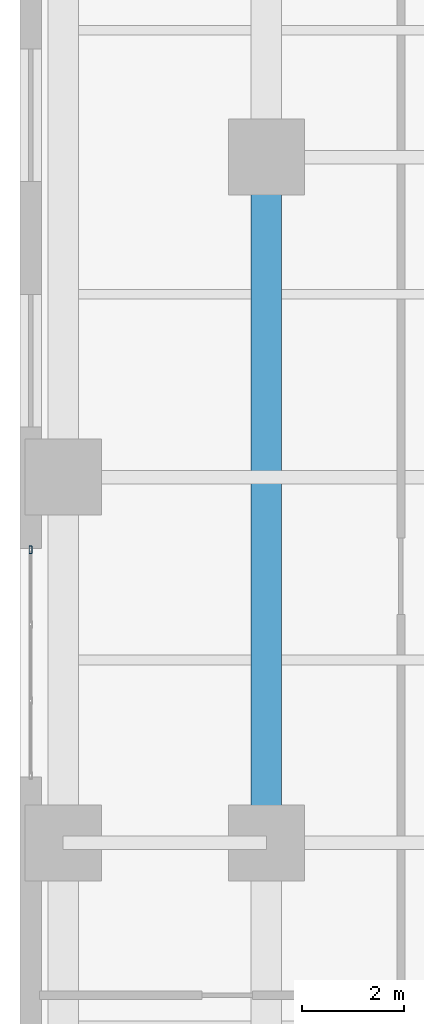
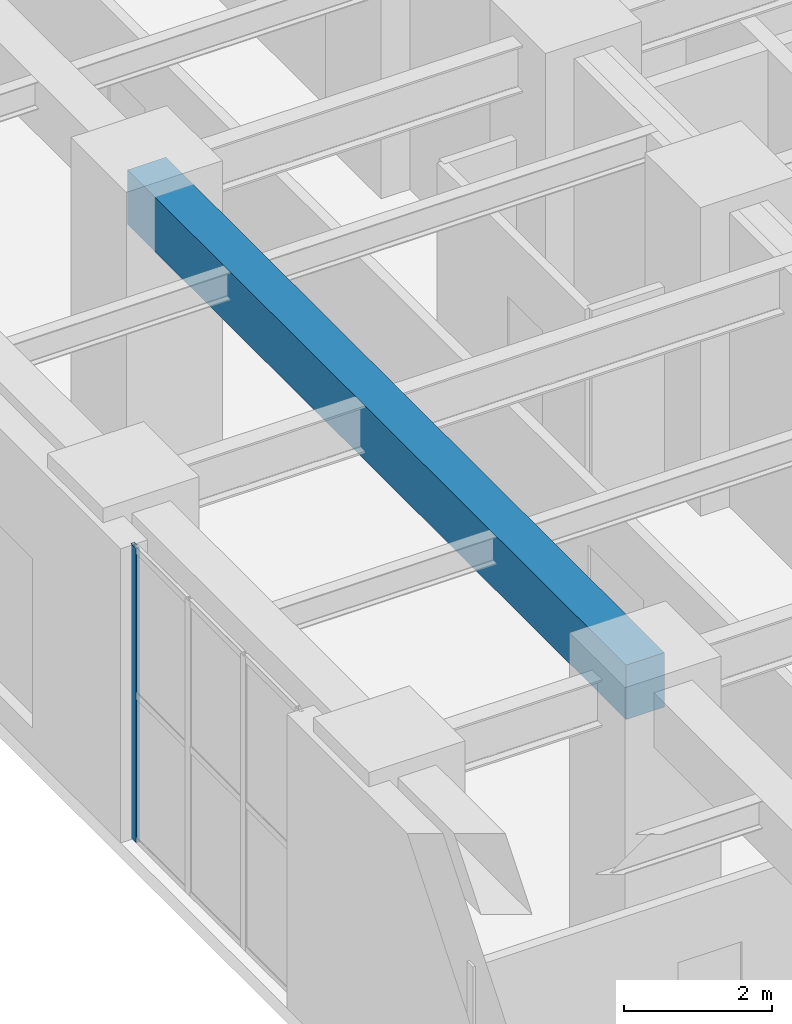
# One storey, part 8 of 23: 1 beam, 1 member, 1 element without a shape of its own.
"""IFC4 building model written with IfcOpenShell, lengths in metres."""

from ifc_helpers import new_model, entity, si_unit, converted_unit, direction, frame, origin_with_axes, origin_2d_with_axis, place, context, subcontext, project, spatial, rectangle, hollow_rectangle, extrude, material, material_profile, profile_set, type_object, element, aggregate, save


model = new_model("IFC4")

# Units and contexts
model_context = context("Model", 3, precision=1e-05, world=origin_with_axes(), true_north=direction((0.0, 1.0)))
body_context = subcontext(model_context, "Body", "Model", "MODEL_VIEW")
ifc_project = project(units=[si_unit("LENGTHUNIT", "METRE"), si_unit("AREAUNIT", "SQUARE_METRE"), si_unit("VOLUMEUNIT", "CUBIC_METRE"), converted_unit("PLANEANGLEUNIT", "DEGREE", entity("IfcPlaneAngleMeasure", 0.017453292519943295), si_unit("PLANEANGLEUNIT", "RADIAN"), dimensions=[0, 0, 0, 0, 0, 0, 0]), si_unit("MASSUNIT", "GRAM", prefix="KILO"), si_unit("THERMODYNAMICTEMPERATUREUNIT", "KELVIN")], contexts=[model_context])

# Site, building, storey
site_placement = place(None, origin_with_axes())
site = spatial("IfcSite", under=ifc_project, at=site_placement, CompositionType="ELEMENT")
building_placement = place(site_placement, origin_with_axes())
building = spatial("IfcBuilding", under=site, at=building_placement, Name="Varnlund Millrace Tower", CompositionType="ELEMENT")
storey_placement = place(building_placement, frame((0.0, 0.0, 5.7), z_axis=(0.0, 0.0, 1.0), x_axis=(1.0, 0.0, 0.0)))
storey = spatial("IfcBuildingStorey", under=building, at=storey_placement, Name="L01", CompositionType="ELEMENT", Elevation=5.7)

# Curtain wall, member
ifc_material_1 = material(Name="Thermally broken architectural bronze curtain wall", Category="aluminium")
curtain_wall_type = type_object("IfcCurtainWallType", Name="Type-CW-Sys2-Skyway", PredefinedType="NOTDEFINED", material=ifc_material_1)
curtain_wall_placement = place(storey_placement, frame((0.21, 12.1, 0.0), z_axis=(0.0, 0.0, 1.0), x_axis=(1.0, 0.0, 0.0)))
curtain_wall = element("IfcCurtainWall", 1, at=curtain_wall_placement, inside=storey, type_object=curtain_wall_type, Name="Type-CW-Sys2-Skyway", PredefinedType="NOTDEFINED")
ifc_material_2 = material(Name="Architectural bronze aluminium alloy 6063-T6", Category="aluminium")
ifc_material_profile_1 = material_profile(ifc_material_2, hollow_rectangle(XDim=0.06, YDim=0.15, WallThickness=0.004, InnerFilletRadius=0.004, OuterFilletRadius=0.008, at=origin_2d_with_axis()), Name="Architectural bronze aluminium alloy 6063-T6")
ifc_profile_set_1 = profile_set([ifc_material_profile_1], Name="Architectural bronze aluminium alloy 6063-T6")
member_type = type_object("IfcMemberType", Name="Type-CW-Mullion-60X150", PredefinedType="MULLION", material=ifc_profile_set_1)
member_placement = place(storey_placement, frame((0.21, 16.57, 0.0), z_axis=(0.0, 0.0, 1.0), x_axis=(-1.0, 0.0, 0.0)))
member = element("IfcMember", 2, at=member_placement, type_object=member_type, Name="CW-02 mullion 4", PredefinedType="MULLION", context=body_context, shape_type="SweptSolid", body=[
    extrude(hollow_rectangle(XDim=0.06, YDim=0.15, WallThickness=0.004, InnerFilletRadius=0.004, OuterFilletRadius=0.008, at=origin_2d_with_axis()), origin_with_axes(), (0.0, 0.0, 1.0), 4.86),
])
aggregate(curtain_wall, [member])

# Beam
ifc_material_3 = material(Name="Concrete C70/85", Category="concrete")
ifc_material_profile_2 = material_profile(ifc_material_3, rectangle(XDim=0.6, YDim=0.9, at=origin_2d_with_axis()), Name="Concrete C70/85")
ifc_profile_set_2 = profile_set([ifc_material_profile_2], Name="Concrete C70/85")
beam_type = type_object("IfcBeamType", Name="Type-Spandrel-RC600X900", PredefinedType="SPANDREL", material=ifc_profile_set_2)
beam_placement = place(storey_placement, frame((4.85, 10.8, 4.41), z_axis=(0.0, 1.0, 0.0), x_axis=(-1.0, 0.0, 0.0)))
element("IfcBeam", 3, at=beam_placement, inside=storey, type_object=beam_type, Name="Type-Spandrel-RC600X900", PredefinedType="SPANDREL", context=body_context, shape_type="SweptSolid", body=[
    extrude(rectangle(XDim=0.6, YDim=0.9, at=origin_2d_with_axis()), origin_with_axes(), (0.0, 0.0, 1.0), 13.5),
])

save(model, "model.ifc")
